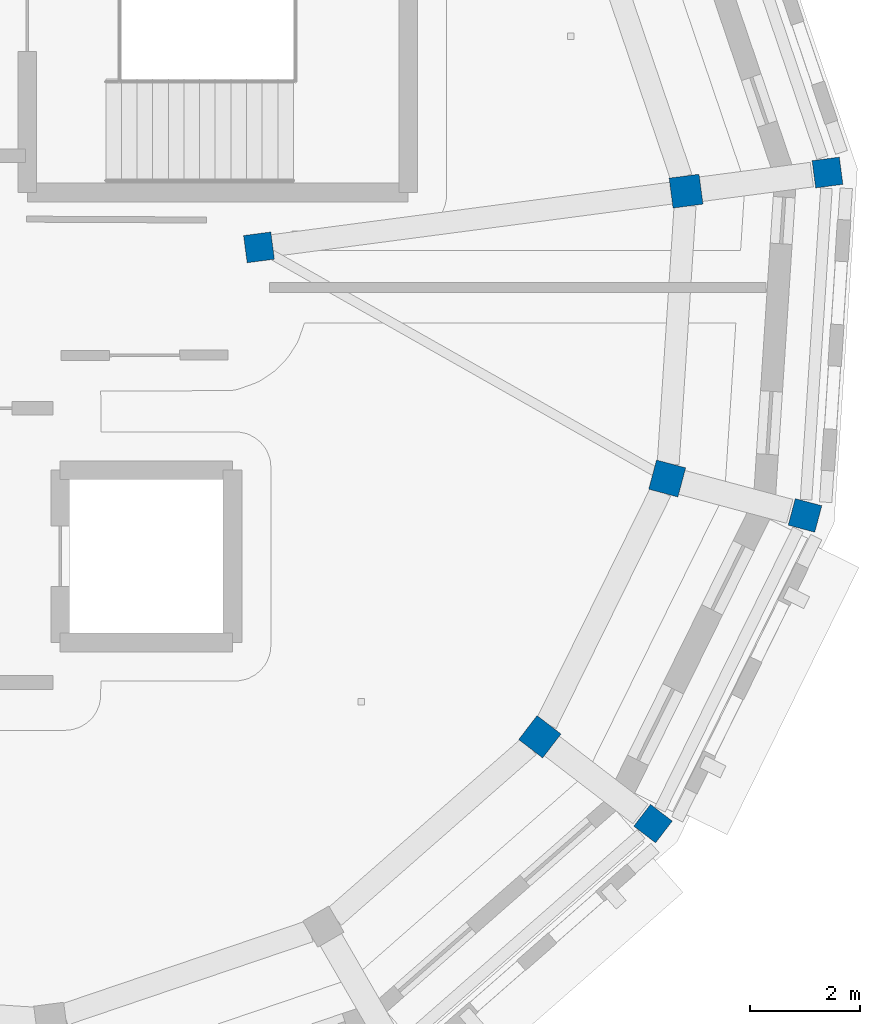
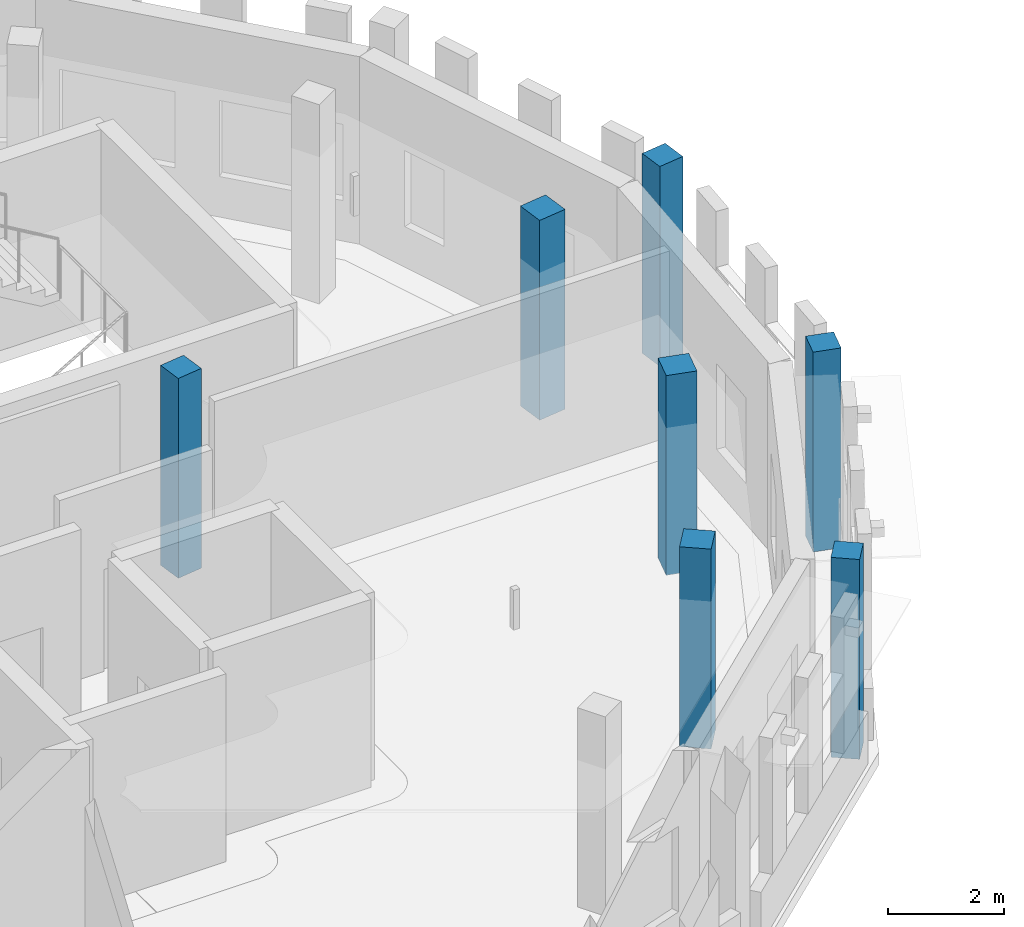
# One storey, part 19 of 90: 7 columns.
"""IFC4 building model written with IfcOpenShell, lengths in metres."""

from ifc_helpers import new_model, si_unit, direction, frame, origin, origin_2d, place, context, subcontext, project, spatial, rectangle, extrude, material, material_profile, profile_set, type_object, element, save


model = new_model("IFC4")

# Units and contexts
model_context = context("Model", 3, precision=1e-05, world=origin(), true_north=direction((0.0, 1.0)))
body_context = subcontext(model_context, "Body", "Model", "MODEL_VIEW")
ifc_project = project(units=[si_unit("LENGTHUNIT", "METRE"), si_unit("AREAUNIT", "SQUARE_METRE"), si_unit("VOLUMEUNIT", "CUBIC_METRE"), si_unit("PLANEANGLEUNIT", "RADIAN"), si_unit("MASSUNIT", "GRAM", prefix="KILO")], contexts=[model_context])

# Site, building, storey
site_placement = place(None, origin())
site = spatial("IfcSite", under=ifc_project, at=site_placement, CompositionType="ELEMENT")
building_placement = place(site_placement, origin())
building = spatial("IfcBuilding", under=site, at=building_placement, Name="Wrenclough Park School", CompositionType="ELEMENT")
storey_placement = place(building_placement, frame((0.0, 0.0, 8.39990234375)))
storey = spatial("IfcBuildingStorey", under=building, at=storey_placement, Name="L02", CompositionType="ELEMENT", Elevation=8.39990234375)

# Columns
ifc_material = material(Name="Concrete C40/50", Category="concrete")
ifc_material_profile_1 = material_profile(ifc_material, rectangle(XDim=0.5, YDim=0.5, at=origin_2d()), Name="RC COL 500x500")
ifc_profile_set_1 = profile_set([ifc_material_profile_1], Name="Concrete C40/50")
column_type_1 = type_object("IfcColumnType", Name="STR-COL-RC500", PredefinedType="COLUMN", material=ifc_profile_set_1)
for number, where, z_axis, x_axis, name in (
    (1, (190.41259765625, 95.594970703125, 0.0), (0.0, 0.0, 1.0), (-0.13052619222, 0.991444861374, 0.0), "D5 L02 column D5-OUT-01"),
    (2, (187.2333984375, 83.7294921875, 0.0), (0.0, 0.0, 1.0), (0.608761429009, 0.793353340291, 0.0), "D5 L02 column D5-OUT-15"),
    (3, (190.003173828125, 89.345947265625, 0.0), (0.0, 0.0, 1.0), (0.258819045103, 0.965925826289, 0.0), "D5 L02 column D5-OUT-16"),
    (4, (180.052001953125, 94.23095703125, 0.0), (0.0, 0.0, 1.0), (0.991444861374, 0.13052619222, 0.0), "D5 L02 column D5-INN-01"),
):
    element("IfcColumn", number, at=place(storey_placement, frame(where, z_axis=z_axis, x_axis=x_axis)), inside=storey, type_object=column_type_1, Name=name, PredefinedType="COLUMN", context=body_context, shape_type="SweptSolid", body=[
        extrude(rectangle(XDim=0.5, YDim=0.5, at=origin_2d()), origin(), (0.0, 0.0, 1.0), 4.2001953125),
    ])
ifc_material_profile_2 = material_profile(ifc_material, rectangle(XDim=0.550048828125, YDim=0.550048828125, at=origin_2d()), Name="RC COL 550x550")
ifc_profile_set_2 = profile_set([ifc_material_profile_2], Name="Concrete C40/50")
column_type_2 = type_object("IfcColumnType", Name="STR-COL-RC550", PredefinedType="COLUMN", material=ifc_profile_set_2)
for number, where, z_axis, x_axis, name in (
    (5, (187.8349609375, 95.255615234375, 0.0), (0.0, 0.0, 1.0), (-0.13052619222, 0.991444861374, 0.0), "D5 L02 column D5-MID-01"),
    (6, (185.170654296875, 85.312255859375, 0.0), (0.0, 0.0, 1.0), (0.608761429009, 0.793353340291, 0.0), "D5 L02 column D5-MID-15"),
    (7, (187.49169921875, 90.018798828125, 0.0), (0.0, 0.0, 1.0), (0.258819045103, 0.965925826289, 0.0), "D5 L02 column D5-MID-16"),
):
    element("IfcColumn", number, at=place(storey_placement, frame(where, z_axis=z_axis, x_axis=x_axis)), inside=storey, type_object=column_type_2, Name=name, PredefinedType="COLUMN", context=body_context, shape_type="SweptSolid", body=[
        extrude(rectangle(XDim=0.550048828125, YDim=0.550048828125, at=origin_2d()), origin(), (0.0, 0.0, 1.0), 4.2001953125),
    ])

save(model, "model.ifc")
